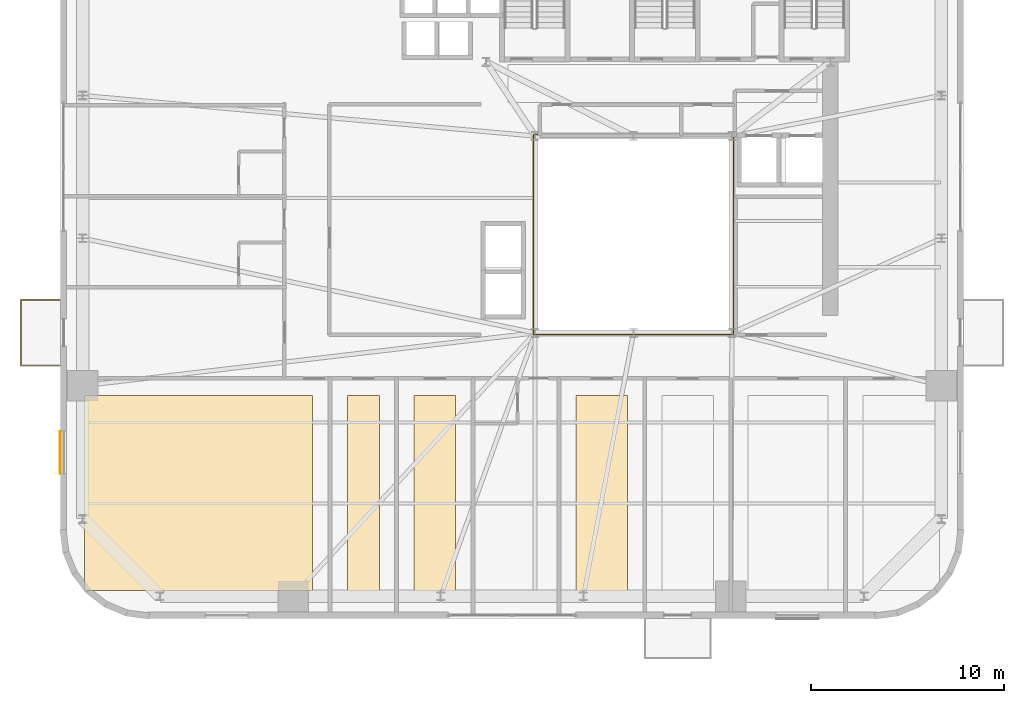
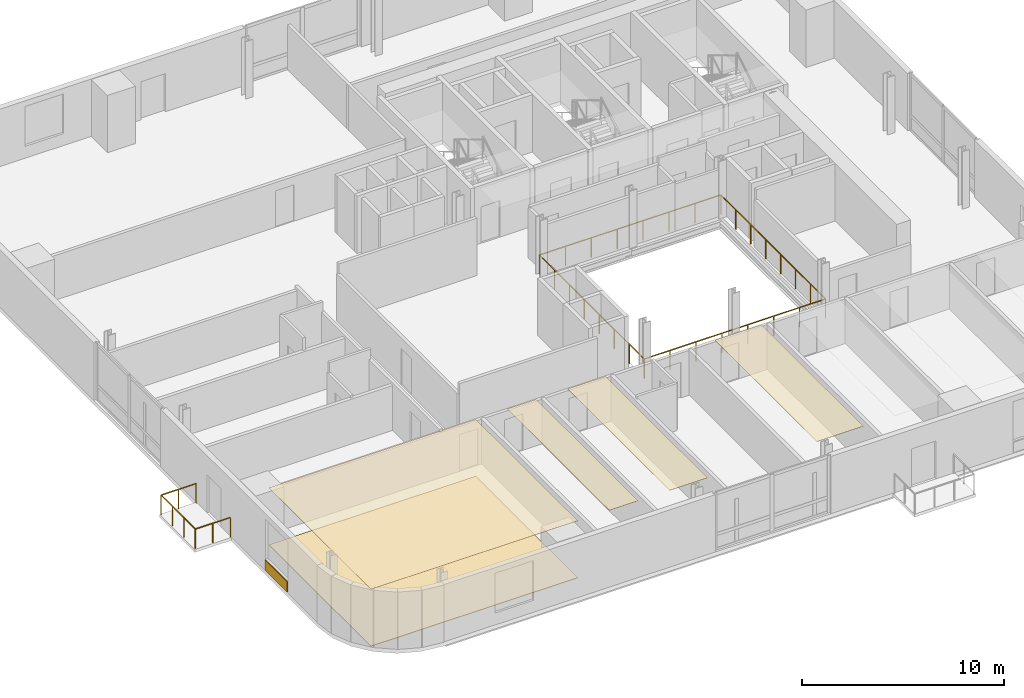
# One storey, part 10 of 14: 6 coverings, 2 railings.
"""IFC4 building model written with IfcOpenShell, lengths in metres."""

from ifc_helpers import new_model, si_unit, direction, frame, origin, origin_2d, place, context, subcontext, project, spatial, polyline, rectangle, outline, extrude, source, transform, mapped, material, layer, layer_set, type_object, element, save


model = new_model("IFC4")

# Units and contexts
model_context = context("Model", 3, precision=1e-05, world=origin(), true_north=direction((0.0, 1.0)))
body_context = subcontext(model_context, "Body", "Model", "MODEL_VIEW")
ifc_project = project(units=[si_unit("LENGTHUNIT", "METRE"), si_unit("AREAUNIT", "SQUARE_METRE"), si_unit("VOLUMEUNIT", "CUBIC_METRE"), si_unit("PLANEANGLEUNIT", "RADIAN"), si_unit("MASSUNIT", "GRAM", prefix="KILO")], contexts=[model_context])

# Site, building, storey
site_placement = place(None, origin())
site = spatial("IfcSite", under=ifc_project, at=site_placement, CompositionType="ELEMENT")
building_placement = place(site_placement, origin())
building = spatial("IfcBuilding", under=site, at=building_placement, Name="Vardaveli Station Tower", CompositionType="ELEMENT")
storey_placement = place(building_placement, frame((0.0, 0.0, 129.800048828125)))
storey = spatial("IfcBuildingStorey", under=building, at=storey_placement, Name="L33", CompositionType="ELEMENT", Elevation=129.800048828125)

# Coverings
ifc_material_1 = material(Name="Perforated acoustic mineral ceiling")
ifc_layer_1 = layer(ifc_material_1, 0.02001953125, Name="Perforated acoustic mineral ceiling")
ifc_layer_set_1 = layer_set([ifc_layer_1], Name="Perforated acoustic mineral ceiling")
covering_type_1 = type_object("IfcCoveringType", Name="COV-CEIL-AC20", PredefinedType="CEILING", material=ifc_layer_set_1)
covering_1_placement = place(storey_placement, frame((0.0, 0.0, 3.445068359375)))
element("IfcCovering", 1, at=covering_1_placement, inside=storey, type_object=covering_type_1, Name="CEIL-L33-1", PredefinedType="CEILING", context=body_context, shape_type="SweptSolid", body=[
    extrude(outline(polyline([(7.85009765625, 3.25), (19.669921875, 3.25), (19.669921875, 13.35009765625), (7.85009765625, 13.35009765625), (7.85009765625, 3.25)])), origin(), (0.0, 0.0, 1.0), 0.019775390625),
])
covering_2_placement = place(storey_placement, frame((0.0, 0.0, 3.445068359375)))
element("IfcCovering", 2, at=covering_2_placement, inside=storey, type_object=covering_type_1, Name="CEIL-L33-2", PredefinedType="CEILING", context=body_context, shape_type="SweptSolid", body=[
    extrude(outline(polyline([(21.469970703125, 3.25), (23.1201171875, 3.25), (23.1201171875, 13.35009765625), (21.469970703125, 13.35009765625), (21.469970703125, 3.25)])), origin(), (0.0, 0.0, 1.0), 0.019775390625),
])
covering_3_placement = place(storey_placement, frame((0.0, 0.0, 3.445068359375)))
element("IfcCovering", 3, at=covering_3_placement, inside=storey, type_object=covering_type_1, Name="CEIL-L33-3", PredefinedType="CEILING", context=body_context, shape_type="SweptSolid", body=[
    extrude(outline(polyline([(24.919921875, 3.25), (27.07568359375, 3.25), (27.07568359375, 13.35009765625), (24.919921875, 13.35009765625), (24.919921875, 3.25)])), origin(), (0.0, 0.0, 1.0), 0.019775390625),
])
covering_4_placement = place(storey_placement, frame((0.0, 0.0, 3.445068359375)))
element("IfcCovering", 4, at=covering_4_placement, inside=storey, type_object=covering_type_1, Name="CEIL-L33-4", PredefinedType="CEILING", context=body_context, shape_type="SweptSolid", body=[
    extrude(outline(polyline([(33.32861328125, 3.25), (35.981689453125, 3.25), (35.981689453125, 13.35009765625), (33.32861328125, 13.35009765625), (33.32861328125, 3.25)])), origin(), (0.0, 0.0, 1.0), 0.019775390625),
])
ifc_material_2 = material(Name="Honed Caucasian basalt and travertine flooring", Category="masonry")
ifc_layer_2 = layer(ifc_material_2, 0.030029296875, Name="Honed Caucasian basalt and travertine flooring")
ifc_layer_set_2 = layer_set([ifc_layer_2], Name="Honed Caucasian basalt and travertine flooring")
covering_type_2 = type_object("IfcCoveringType", Name="COV-FLOOR-ST30", PredefinedType="FLOORING", material=ifc_layer_set_2)
covering_5_placement = place(storey_placement, origin())
element("IfcCovering", 5, at=covering_5_placement, inside=storey, type_object=covering_type_2, Name="FLR-L33-1", PredefinedType="FLOORING", context=body_context, shape_type="SweptSolid", body=[
    extrude(outline(polyline([(7.85009765625, 3.25), (19.669921875, 3.25), (19.669921875, 13.35009765625), (7.85009765625, 13.35009765625), (7.85009765625, 3.25)])), origin(), (0.0, 0.0, 1.0), 0.030029296875),
])
ifc_material_3 = material(Name="Ventilated honed travertine stone cladding", Category="masonry")
ifc_layer_3 = layer(ifc_material_3, 0.044921875, Name="Ventilated honed travertine stone cladding")
ifc_layer_set_3 = layer_set([ifc_layer_3], Name="Ventilated honed travertine stone cladding")
covering_type_3 = type_object("IfcCoveringType", Name="COV-CLAD-TR45", PredefinedType="CLADDING", material=ifc_layer_set_3)
shared_shape_1 = source(origin(), body_context, "Body", "SweptSolid", [
    extrude(rectangle(XDim=2.199951171875, YDim=0.044921875, at=origin_2d()), origin(), (0.0, 0.0, 1.0), 0.6201171875),
])
covering_6_placement = place(storey_placement, frame((6.58544921875, 10.405029296875, 0.06982421875), z_axis=(0.0, 0.0, 1.0), x_axis=(0.0, 1.0, 0.0)))
element("IfcCovering", 6, at=covering_6_placement, inside=storey, type_object=covering_type_3, Name="CLD-TR-L33-W", PredefinedType="CLADDING", context=body_context, shape_type="MappedRepresentation", body=[
    mapped(shared_shape_1, transform((0.0, 0.0, 0.0), scale=1.0)),
])

# Railings
ifc_material_4 = material(Name="Laminated glass and stainless steel balustrade", Category="steel")
railing_type = type_object("IfcRailingType", Name="RL-BAL-1200", PredefinedType="BALUSTRADE", material=ifc_material_4)
shared_shape_2 = source(origin(), body_context, "Body", "SweptSolid", [
    extrude(rectangle(XDim=0.048095703125, YDim=0.048095703125, at=origin_2d()), frame((0.0, 0.0, 1.17578125), z_axis=(-1.0, 0.0, 0.0), x_axis=(0.0, -1.0, 0.0)), (0.0, 0.0, 1.0), 2.0),
    extrude(rectangle(XDim=0.048095703125, YDim=0.048095703125, at=origin_2d()), frame((-2.0, 0.0, 1.17578125), z_axis=(0.0, 1.0, 0.0), x_axis=(-1.0, 0.0, 0.0)), (0.0, 0.0, 1.0), 3.3798828125),
    extrude(rectangle(XDim=0.048095703125, YDim=0.048095703125, at=origin_2d()), frame((-2.0, 3.3798828125, 1.17578125), z_axis=(1.0, 0.0, 0.0), x_axis=(0.0, 1.0, 0.0)), (0.0, 0.0, 1.0), 2.0),
    extrude(rectangle(XDim=0.0419921875, YDim=0.0419921875, at=origin_2d()), origin(), (0.0, 0.0, 1.0), 1.15185546875),
    extrude(rectangle(XDim=0.0419921875, YDim=0.0419921875, at=origin_2d()), frame((-1.0, 0.0, 0.0)), (0.0, 0.0, 1.0), 1.15185546875),
    extrude(rectangle(XDim=0.0419921875, YDim=0.0419921875, at=origin_2d()), frame((-2.0, 0.0, 0.0)), (0.0, 0.0, 1.0), 1.15185546875),
    extrude(rectangle(XDim=0.0419921875, YDim=0.0419921875, at=origin_2d()), frame((-2.0, 1.126708984375, 0.0)), (0.0, 0.0, 1.0), 1.15185546875),
    extrude(rectangle(XDim=0.0419921875, YDim=0.0419921875, at=origin_2d()), frame((-2.0, 2.253173828125, 0.0)), (0.0, 0.0, 1.0), 1.15185546875),
    extrude(rectangle(XDim=0.0419921875, YDim=0.0419921875, at=origin_2d()), frame((-2.0, 3.3798828125, 0.0)), (0.0, 0.0, 1.0), 1.15185546875),
    extrude(rectangle(XDim=0.0419921875, YDim=0.0419921875, at=origin_2d()), frame((-1.0, 3.3798828125, 0.0)), (0.0, 0.0, 1.0), 1.15185546875),
    extrude(rectangle(XDim=0.0419921875, YDim=0.0419921875, at=origin_2d()), frame((0.0, 3.3798828125, 0.0)), (0.0, 0.0, 1.0), 1.15185546875),
])
railing_1_placement = place(storey_placement, frame((6.56005859375, 14.92041015625, 0.0)))
element("IfcRailing", 7, at=railing_1_placement, inside=storey, type_object=railing_type, Name="RL-LOG-L33-03", PredefinedType="BALUSTRADE", context=body_context, shape_type="MappedRepresentation", body=[
    mapped(shared_shape_2, transform((0.0, 0.0, 0.0), scale=1.0)),
])
shared_shape_3 = source(origin(), body_context, "Body", "SweptSolid", [
    extrude(rectangle(XDim=0.048095703125, YDim=0.048095703125, at=origin_2d()), frame((0.0, 0.0, 1.17578125), z_axis=(1.0, 0.0, 0.0), x_axis=(0.0, 1.0, 0.0)), (0.0, 0.0, 1.0), 10.35986328125),
    extrude(rectangle(XDim=0.048095703125, YDim=0.048095703125, at=origin_2d()), frame((10.35986328125, 0.0, 1.17578125), z_axis=(0.0, 1.0, 0.0), x_axis=(-1.0, 0.0, 0.0)), (0.0, 0.0, 1.0), 10.35986328125),
    extrude(rectangle(XDim=0.048095703125, YDim=0.048095703125, at=origin_2d()), frame((10.35986328125, 10.35986328125, 1.17578125), z_axis=(-1.0, 0.0, 0.0), x_axis=(0.0, -1.0, 0.0)), (0.0, 0.0, 1.0), 10.35986328125),
    extrude(rectangle(XDim=0.048095703125, YDim=0.048095703125, at=origin_2d()), frame((0.0, 10.35986328125, 1.17578125), z_axis=(0.0, -1.0, 0.0), x_axis=(1.0, 0.0, 0.0)), (0.0, 0.0, 1.0), 10.35986328125),
    extrude(rectangle(XDim=0.0419921875, YDim=0.0419921875, at=origin_2d()), origin(), (0.0, 0.0, 1.0), 1.15185546875),
    extrude(rectangle(XDim=0.0419921875, YDim=0.0419921875, at=origin_2d()), frame((1.47998046875, 0.0, 0.0)), (0.0, 0.0, 1.0), 1.15185546875),
    extrude(rectangle(XDim=0.0419921875, YDim=0.0419921875, at=origin_2d()), frame((2.9599609375, 0.0, 0.0)), (0.0, 0.0, 1.0), 1.15185546875),
    extrude(rectangle(XDim=0.0419921875, YDim=0.0419921875, at=origin_2d()), frame((4.43994140625, 0.0, 0.0)), (0.0, 0.0, 1.0), 1.15185546875),
    extrude(rectangle(XDim=0.0419921875, YDim=0.0419921875, at=origin_2d()), frame((5.919921875, 0.0, 0.0)), (0.0, 0.0, 1.0), 1.15185546875),
    extrude(rectangle(XDim=0.0419921875, YDim=0.0419921875, at=origin_2d()), frame((7.39990234375, 0.0, 0.0)), (0.0, 0.0, 1.0), 1.15185546875),
    extrude(rectangle(XDim=0.0419921875, YDim=0.0419921875, at=origin_2d()), frame((8.8798828125, 0.0, 0.0)), (0.0, 0.0, 1.0), 1.15185546875),
    extrude(rectangle(XDim=0.0419921875, YDim=0.0419921875, at=origin_2d()), frame((10.35986328125, 0.0, 0.0)), (0.0, 0.0, 1.0), 1.15185546875),
    extrude(rectangle(XDim=0.0419921875, YDim=0.0419921875, at=origin_2d()), frame((10.35986328125, 1.47998046875, 0.0)), (0.0, 0.0, 1.0), 1.15185546875),
    extrude(rectangle(XDim=0.0419921875, YDim=0.0419921875, at=origin_2d()), frame((10.35986328125, 2.9599609375, 0.0)), (0.0, 0.0, 1.0), 1.15185546875),
    extrude(rectangle(XDim=0.0419921875, YDim=0.0419921875, at=origin_2d()), frame((10.35986328125, 4.43994140625, 0.0)), (0.0, 0.0, 1.0), 1.15185546875),
    extrude(rectangle(XDim=0.0419921875, YDim=0.0419921875, at=origin_2d()), frame((10.35986328125, 5.919921875, 0.0)), (0.0, 0.0, 1.0), 1.15185546875),
    extrude(rectangle(XDim=0.0419921875, YDim=0.0419921875, at=origin_2d()), frame((10.35986328125, 7.39990234375, 0.0)), (0.0, 0.0, 1.0), 1.15185546875),
    extrude(rectangle(XDim=0.0419921875, YDim=0.0419921875, at=origin_2d()), frame((10.35986328125, 8.8798828125, 0.0)), (0.0, 0.0, 1.0), 1.15185546875),
    extrude(rectangle(XDim=0.0419921875, YDim=0.0419921875, at=origin_2d()), frame((10.35986328125, 10.35986328125, 0.0)), (0.0, 0.0, 1.0), 1.15185546875),
    extrude(rectangle(XDim=0.0419921875, YDim=0.0419921875, at=origin_2d()), frame((8.8798828125, 10.35986328125, 0.0)), (0.0, 0.0, 1.0), 1.15185546875),
    extrude(rectangle(XDim=0.0419921875, YDim=0.0419921875, at=origin_2d()), frame((7.39990234375, 10.35986328125, 0.0)), (0.0, 0.0, 1.0), 1.15185546875),
    extrude(rectangle(XDim=0.0419921875, YDim=0.0419921875, at=origin_2d()), frame((5.919921875, 10.35986328125, 0.0)), (0.0, 0.0, 1.0), 1.15185546875),
    extrude(rectangle(XDim=0.0419921875, YDim=0.0419921875, at=origin_2d()), frame((4.43994140625, 10.35986328125, 0.0)), (0.0, 0.0, 1.0), 1.15185546875),
    extrude(rectangle(XDim=0.0419921875, YDim=0.0419921875, at=origin_2d()), frame((2.9599609375, 10.35986328125, 0.0)), (0.0, 0.0, 1.0), 1.15185546875),
    extrude(rectangle(XDim=0.0419921875, YDim=0.0419921875, at=origin_2d()), frame((1.47998046875, 10.35986328125, 0.0)), (0.0, 0.0, 1.0), 1.15185546875),
    extrude(rectangle(XDim=0.0419921875, YDim=0.0419921875, at=origin_2d()), frame((0.0, 10.35986328125, 0.0)), (0.0, 0.0, 1.0), 1.15185546875),
    extrude(rectangle(XDim=0.0419921875, YDim=0.0419921875, at=origin_2d()), frame((0.0, 8.8798828125, 0.0)), (0.0, 0.0, 1.0), 1.15185546875),
    extrude(rectangle(XDim=0.0419921875, YDim=0.0419921875, at=origin_2d()), frame((0.0, 7.39990234375, 0.0)), (0.0, 0.0, 1.0), 1.15185546875),
    extrude(rectangle(XDim=0.0419921875, YDim=0.0419921875, at=origin_2d()), frame((0.0, 5.919921875, 0.0)), (0.0, 0.0, 1.0), 1.15185546875),
    extrude(rectangle(XDim=0.0419921875, YDim=0.0419921875, at=origin_2d()), frame((0.0, 4.43994140625, 0.0)), (0.0, 0.0, 1.0), 1.15185546875),
    extrude(rectangle(XDim=0.0419921875, YDim=0.0419921875, at=origin_2d()), frame((0.0, 2.9599609375, 0.0)), (0.0, 0.0, 1.0), 1.15185546875),
    extrude(rectangle(XDim=0.0419921875, YDim=0.0419921875, at=origin_2d()), frame((0.0, 1.47998046875, 0.0)), (0.0, 0.0, 1.0), 1.15185546875),
])
railing_2_placement = place(storey_placement, frame((31.1201171875, 16.52001953125, 0.0)))
element("IfcRailing", 8, at=railing_2_placement, inside=storey, type_object=railing_type, Name="RL-ATR-L33", PredefinedType="BALUSTRADE", context=body_context, shape_type="MappedRepresentation", body=[
    mapped(shared_shape_3, transform((0.0, 0.0, 0.0), scale=1.0)),
])

save(model, "model.ifc")
